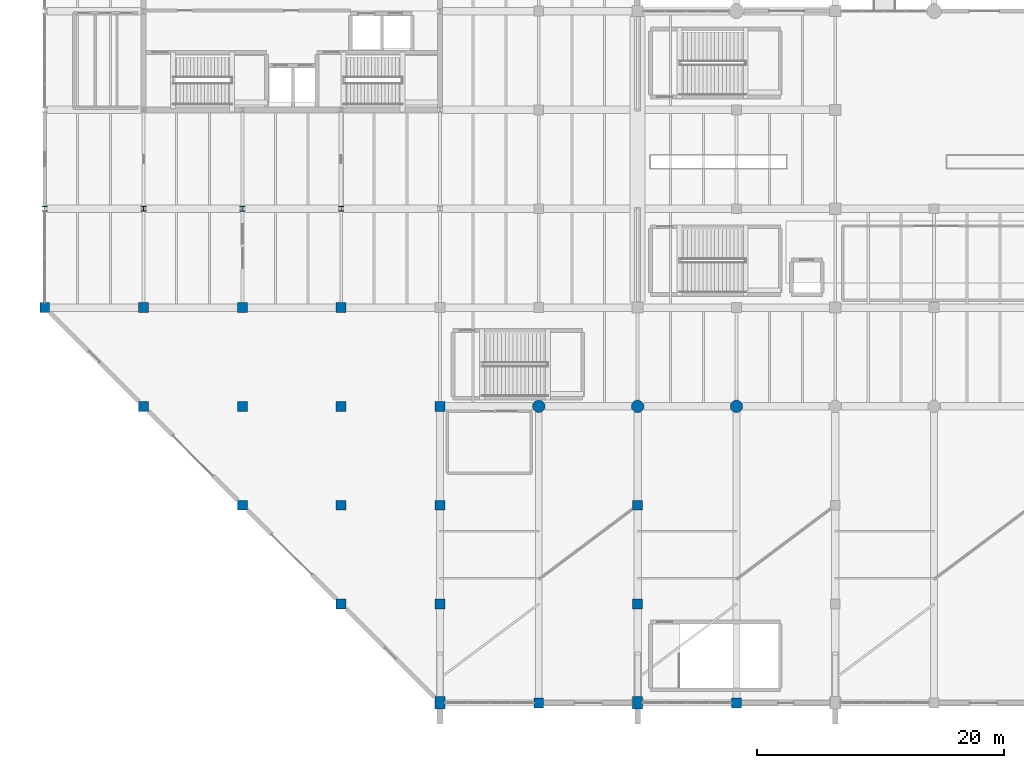
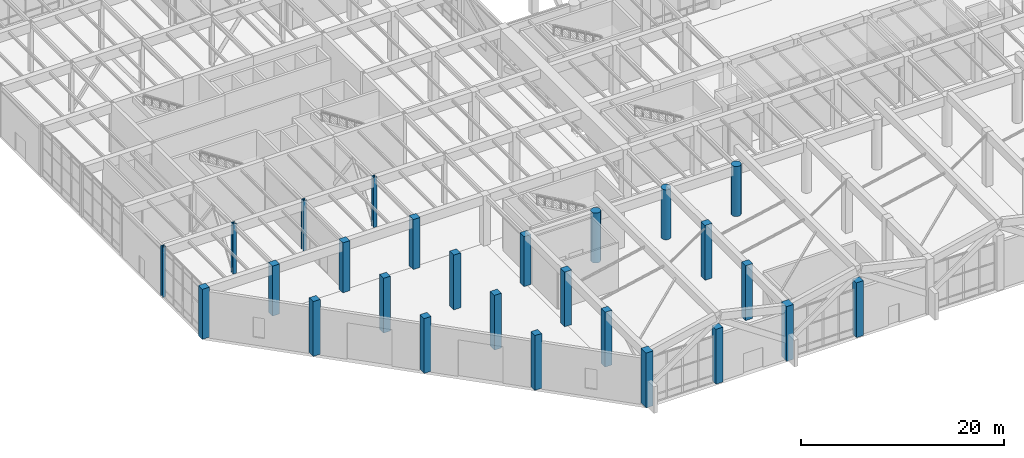
# One storey, part 1 of 51: 26 columns.
"""IFC4 building model written with IfcOpenShell, lengths in metres."""

from ifc_helpers import new_model, si_unit, direction, frame, origin, origin_2d, place, context, subcontext, project, spatial, rectangle, circle, i_section, extrude, material, material_profile, profile_set, type_object, element, save


model = new_model("IFC4")

# Units and contexts
model_context = context("Model", 3, precision=1e-05, world=origin(), true_north=direction((0.0, 1.0)))
body_context = subcontext(model_context, "Body", "Model", "MODEL_VIEW")
ifc_project = project(units=[si_unit("LENGTHUNIT", "METRE"), si_unit("AREAUNIT", "SQUARE_METRE"), si_unit("VOLUMEUNIT", "CUBIC_METRE"), si_unit("PLANEANGLEUNIT", "RADIAN"), si_unit("MASSUNIT", "GRAM", prefix="KILO")], contexts=[model_context])

# Site, building, storey
site_placement = place(None, origin())
site = spatial("IfcSite", under=ifc_project, at=site_placement, CompositionType="ELEMENT")
building_placement = place(site_placement, origin())
building = spatial("IfcBuilding", under=site, at=building_placement, Name="Varnela Railside Interchange", CompositionType="ELEMENT")
storey_placement = place(building_placement, origin())
storey = spatial("IfcBuildingStorey", under=building, at=storey_placement, Name="L00", CompositionType="ELEMENT", Elevation=0.0)

# Columns
ifc_material_1 = material(Name="Concrete C50", Category="concrete")
ifc_material_profile_1 = material_profile(ifc_material_1, rectangle(XDim=0.800048828125, YDim=1.0, at=origin_2d()), Name="RC 800x1000")
ifc_profile_set_1 = profile_set([ifc_material_profile_1], Name="Concrete C50")
column_type_1 = type_object("IfcColumnType", Name="Bus Canopy Pier Column C-04", PredefinedType="COLUMN", material=ifc_profile_set_1)
for number, where, z_axis, x_axis, name in (
    (1, (36.0, 6.0, 0.0), (0.0, 0.0, 1.0), (1.0, 0.0, 0.0), "Column C-04 (L00) (CL-0522)"),
    (2, (52.0, 6.0, 0.0), (0.0, 0.0, 1.0), (1.0, 0.0, 0.0), "Column C-04 (L00) (CL-0544)"),
):
    element("IfcColumn", number, at=place(storey_placement, frame(where, z_axis=z_axis, x_axis=x_axis)), inside=storey, type_object=column_type_1, Name=name, PredefinedType="COLUMN", context=body_context, shape_type="SweptSolid", body=[
        extrude(rectangle(XDim=0.800048828125, YDim=1.0, at=origin_2d()), origin(), (0.0, 0.0, 1.0), 6.60009765625),
    ])
ifc_material_profile_2 = material_profile(ifc_material_1, circle(Radius=0.5, at=origin_2d()), Name="CIRC D1000")
ifc_profile_set_2 = profile_set([ifc_material_profile_2], Name="Concrete C50")
column_type_2 = type_object("IfcColumnType", Name="Bus Island Round Column C-12", PredefinedType="COLUMN", material=ifc_profile_set_2)
for number, where, z_axis, x_axis, name in (
    (3, (44.0, 30.0, 0.0), (0.0, 0.0, 1.0), (1.0, 0.0, 0.0), "Column C-12 (L00) (CL-0535)"),
    (4, (52.0, 30.0, 0.0), (0.0, 0.0, 1.0), (1.0, 0.0, 0.0), "Column C-12 (L00) (CL-0547)"),
    (5, (60.0, 30.0, 0.0), (0.0, 0.0, 1.0), (1.0, 0.0, 0.0), "Column C-12 (L00) (CL-0555)"),
):
    element("IfcColumn", number, at=place(storey_placement, frame(where, z_axis=z_axis, x_axis=x_axis)), inside=storey, type_object=column_type_2, Name=name, PredefinedType="COLUMN", context=body_context, shape_type="SweptSolid", body=[
        extrude(circle(Radius=0.5, at=origin_2d()), origin(), (0.0, 0.0, 1.0), 6.02001953125),
    ])
ifc_material_profile_3 = material_profile(ifc_material_1, rectangle(XDim=0.800048828125, YDim=0.800048828125, at=origin_2d()), Name="RC 800x800")
ifc_profile_set_3 = profile_set([ifc_material_profile_3], Name="Concrete C50")
column_type_3 = type_object("IfcColumnType", Name="Podium Concourse Column C-03", PredefinedType="COLUMN", material=ifc_profile_set_3)
column_1_placement = place(storey_placement, frame((4.0, 38.0, 0.0), z_axis=(0.0, 0.0, 1.0), x_axis=(1.0, 0.0, 0.0)))
element("IfcColumn", 6, at=column_1_placement, inside=storey, type_object=column_type_3, Name="Column C-03 (L00) (CL-0477)", PredefinedType="COLUMN", context=body_context, shape_type="SweptSolid", body=[
    extrude(rectangle(XDim=0.800048828125, YDim=0.800048828125, at=origin_2d()), origin(), (0.0, 0.0, 1.0), 6.02001953125),
])
column_2_placement = place(storey_placement, frame((12.0, 30.0, 0.0), z_axis=(0.0, 0.0, 1.0), x_axis=(1.0, 0.0, 0.0)))
element("IfcColumn", 7, at=column_2_placement, inside=storey, type_object=column_type_3, Name="Column C-03 (L00) (CL-0494)", PredefinedType="COLUMN", context=body_context, shape_type="SweptSolid", body=[
    extrude(rectangle(XDim=0.800048828125, YDim=0.800048828125, at=origin_2d()), origin(), (0.0, 0.0, 1.0), 6.60009765625),
])
column_3_placement = place(storey_placement, frame((12.0, 38.0, 0.0), z_axis=(0.0, 0.0, 1.0), x_axis=(1.0, 0.0, 0.0)))
element("IfcColumn", 8, at=column_3_placement, inside=storey, type_object=column_type_3, Name="Column C-03 (L00) (CL-0495)", PredefinedType="COLUMN", context=body_context, shape_type="SweptSolid", body=[
    extrude(rectangle(XDim=0.800048828125, YDim=0.800048828125, at=origin_2d()), origin(), (0.0, 0.0, 1.0), 6.02001953125),
])
for number, where, z_axis, x_axis, name in (
    (9, (20.0, 22.0, 0.0), (0.0, 0.0, 1.0), (1.0, 0.0, 0.0), "Column C-03 (L00) (CL-0503)"),
    (10, (20.0, 30.0, 0.0), (0.0, 0.0, 1.0), (1.0, 0.0, 0.0), "Column C-03 (L00) (CL-0504)"),
):
    element("IfcColumn", number, at=place(storey_placement, frame(where, z_axis=z_axis, x_axis=x_axis)), inside=storey, type_object=column_type_3, Name=name, PredefinedType="COLUMN", context=body_context, shape_type="SweptSolid", body=[
        extrude(rectangle(XDim=0.800048828125, YDim=0.800048828125, at=origin_2d()), origin(), (0.0, 0.0, 1.0), 6.60009765625),
    ])
column_4_placement = place(storey_placement, frame((20.0, 38.0, 0.0), z_axis=(0.0, 0.0, 1.0), x_axis=(1.0, 0.0, 0.0)))
element("IfcColumn", 11, at=column_4_placement, inside=storey, type_object=column_type_3, Name="Column C-03 (L00) (CL-0505)", PredefinedType="COLUMN", context=body_context, shape_type="SweptSolid", body=[
    extrude(rectangle(XDim=0.800048828125, YDim=0.800048828125, at=origin_2d()), origin(), (0.0, 0.0, 1.0), 6.02001953125),
])
for number, where, z_axis, x_axis, name in (
    (12, (28.0, 14.0, 0.0), (0.0, 0.0, 1.0), (1.0, 0.0, 0.0), "Column C-03 (L00) (CL-0512)"),
    (13, (28.0, 22.0, 0.0), (0.0, 0.0, 1.0), (1.0, 0.0, 0.0), "Column C-03 (L00) (CL-0513)"),
    (14, (28.0, 30.0, 0.0), (0.0, 0.0, 1.0), (1.0, 0.0, 0.0), "Column C-03 (L00) (CL-0514)"),
):
    element("IfcColumn", number, at=place(storey_placement, frame(where, z_axis=z_axis, x_axis=x_axis)), inside=storey, type_object=column_type_3, Name=name, PredefinedType="COLUMN", context=body_context, shape_type="SweptSolid", body=[
        extrude(rectangle(XDim=0.800048828125, YDim=0.800048828125, at=origin_2d()), origin(), (0.0, 0.0, 1.0), 6.60009765625),
    ])
column_5_placement = place(storey_placement, frame((28.0, 38.0, 0.0), z_axis=(0.0, 0.0, 1.0), x_axis=(1.0, 0.0, 0.0)))
element("IfcColumn", 15, at=column_5_placement, inside=storey, type_object=column_type_3, Name="Column C-03 (L00) (CL-0515)", PredefinedType="COLUMN", context=body_context, shape_type="SweptSolid", body=[
    extrude(rectangle(XDim=0.800048828125, YDim=0.800048828125, at=origin_2d()), origin(), (0.0, 0.0, 1.0), 6.02001953125),
])
for number, where, z_axis, x_axis, name in (
    (16, (36.0, 14.0, 0.0), (0.0, 0.0, 1.0), (1.0, 0.0, 0.0), "Column C-03 (L00) (CL-0523)"),
    (17, (36.0, 22.0, 0.0), (0.0, 0.0, 1.0), (1.0, 0.0, 0.0), "Column C-03 (L00) (CL-0524)"),
):
    element("IfcColumn", number, at=place(storey_placement, frame(where, z_axis=z_axis, x_axis=x_axis)), inside=storey, type_object=column_type_3, Name=name, PredefinedType="COLUMN", context=body_context, shape_type="SweptSolid", body=[
        extrude(rectangle(XDim=0.800048828125, YDim=0.800048828125, at=origin_2d()), origin(), (0.0, 0.0, 1.0), 6.60009765625),
    ])
column_6_placement = place(storey_placement, frame((36.0, 30.0, 0.0), z_axis=(0.0, 0.0, 1.0), x_axis=(1.0, 0.0, 0.0)))
element("IfcColumn", 18, at=column_6_placement, inside=storey, type_object=column_type_3, Name="Column C-03 (L00) (CL-0525)", PredefinedType="COLUMN", context=body_context, shape_type="SweptSolid", body=[
    extrude(rectangle(XDim=0.800048828125, YDim=0.800048828125, at=origin_2d()), origin(), (0.0, 0.0, 1.0), 6.02001953125),
])
for number, where, z_axis, x_axis, name in (
    (19, (44.0, 6.0, 0.0), (0.0, 0.0, 1.0), (1.0, 0.0, 0.0), "Column C-03 (L00) (CL-0534)"),
    (20, (52.0, 14.0, 0.0), (0.0, 0.0, 1.0), (1.0, 0.0, 0.0), "Column C-03 (L00) (CL-0545)"),
    (21, (52.0, 22.0, 0.0), (0.0, 0.0, 1.0), (1.0, 0.0, 0.0), "Column C-03 (L00) (CL-0546)"),
    (22, (60.0, 6.0, 0.0), (0.0, 0.0, 1.0), (1.0, 0.0, 0.0), "Column C-03 (L00) (CL-0554)"),
):
    element("IfcColumn", number, at=place(storey_placement, frame(where, z_axis=z_axis, x_axis=x_axis)), inside=storey, type_object=column_type_3, Name=name, PredefinedType="COLUMN", context=body_context, shape_type="SweptSolid", body=[
        extrude(rectangle(XDim=0.800048828125, YDim=0.800048828125, at=origin_2d()), origin(), (0.0, 0.0, 1.0), 6.60009765625),
    ])
ifc_material_2 = material(Name="Steel AR 350 (350 MPa)", Category="steel")
ifc_material_profile_4 = material_profile(ifc_material_2, i_section(OverallWidth=0.40087890625, OverallDepth=0.39892578125, WebThickness=0.02490234375, FlangeThickness=0.03955078125, at=origin_2d()), Name="W360x314")
ifc_profile_set_4 = profile_set([ifc_material_profile_4], Name="Steel AR 350 (350 MPa)")
column_type_4 = type_object("IfcColumnType", Name="Superstructure Steel Col C-15", PredefinedType="COLUMN", material=ifc_profile_set_4)
for number, where, z_axis, x_axis, name in (
    (23, (4.0, 46.0, 0.0), (0.0, 0.0, 1.0), (1.0, 0.0, 0.0), "Column C-15 (L00) (CL-0478)"),
    (24, (12.0, 46.0, 0.0), (0.0, 0.0, 1.0), (1.0, 0.0, 0.0), "Column C-15 (L00) (CL-0496)"),
    (25, (20.0, 46.0, 0.0), (0.0, 0.0, 1.0), (1.0, 0.0, 0.0), "Column C-15 (L00) (CL-0506)"),
    (26, (28.0, 46.0, 0.0), (0.0, 0.0, 1.0), (1.0, 0.0, 0.0), "Column C-15 (L00) (CL-0516)"),
):
    element("IfcColumn", number, at=place(storey_placement, frame(where, z_axis=z_axis, x_axis=x_axis)), inside=storey, type_object=column_type_4, Name=name, PredefinedType="COLUMN", context=body_context, shape_type="SweptSolid", body=[
        extrude(i_section(OverallWidth=0.40087890625, OverallDepth=0.39892578125, WebThickness=0.02490234375, FlangeThickness=0.03955078125, at=origin_2d()), origin(), (0.0, 0.0, 1.0), 6.02001953125),
    ])

save(model, "model.ifc")
